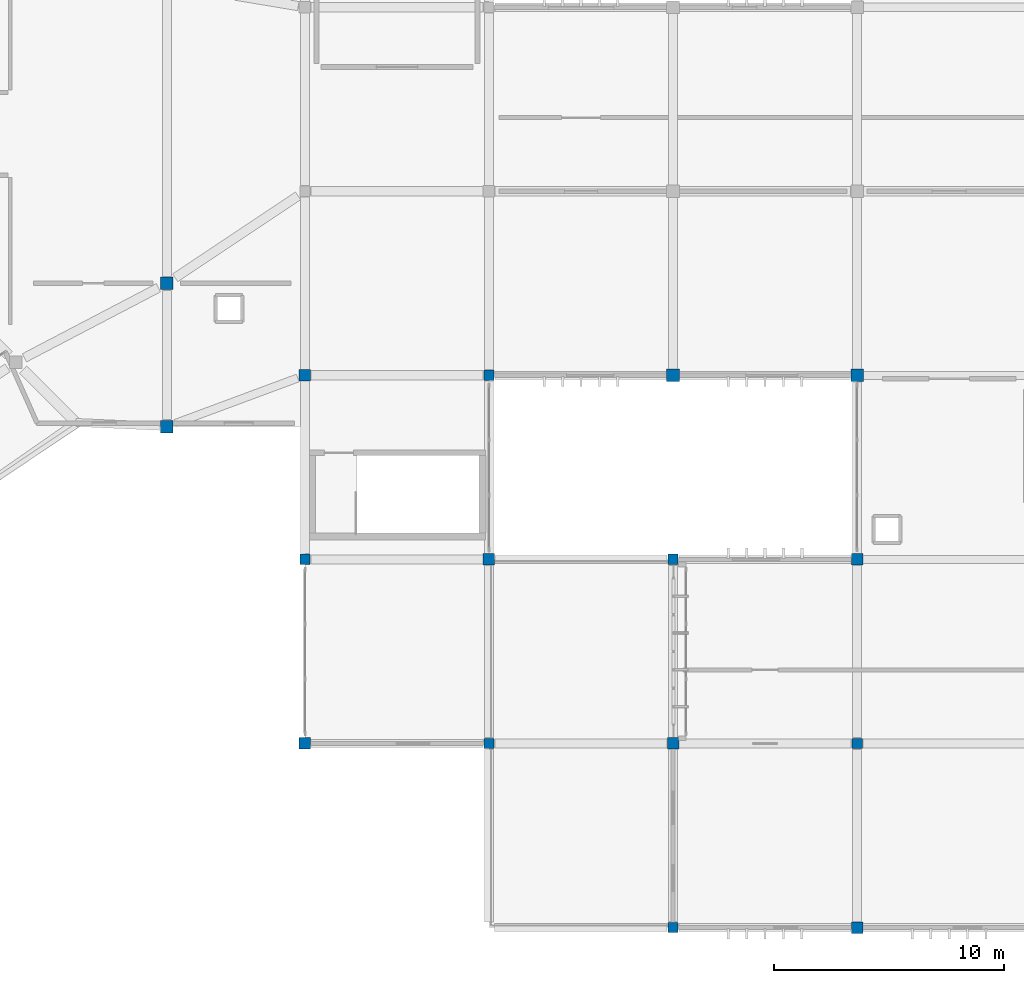
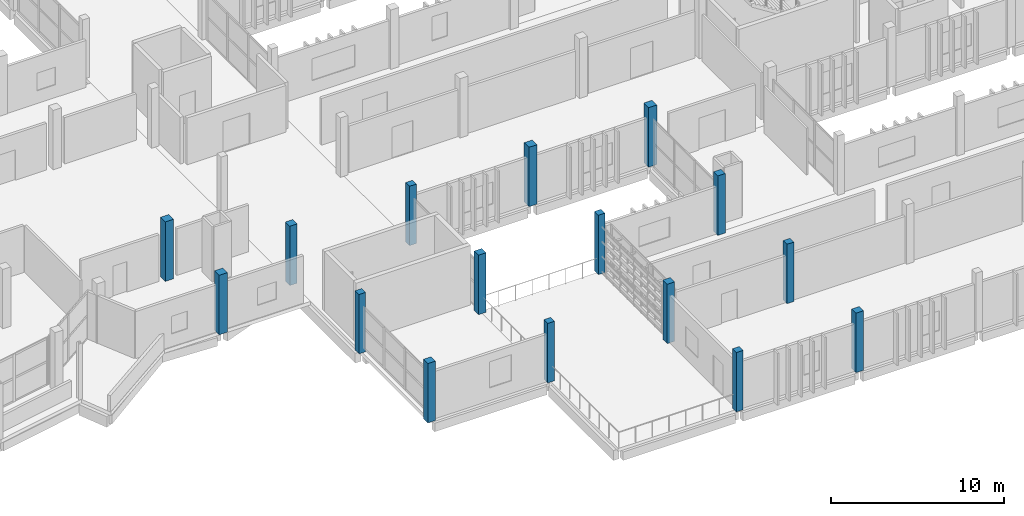
# One storey, part 2 of 63: 16 columns.
"""IFC4 building model written with IfcOpenShell, lengths in metres."""

from ifc_helpers import new_model, si_unit, direction, frame, origin, origin_2d, place, context, subcontext, project, spatial, rectangle, extrude, material, material_profile, profile_set, type_object, element, save


model = new_model("IFC4")

# Units and contexts
model_context = context("Model", 3, precision=1e-05, world=origin(), true_north=direction((0.0, 1.0)))
body_context = subcontext(model_context, "Body", "Model", "MODEL_VIEW")
ifc_project = project(units=[si_unit("LENGTHUNIT", "METRE"), si_unit("AREAUNIT", "SQUARE_METRE"), si_unit("VOLUMEUNIT", "CUBIC_METRE"), si_unit("PLANEANGLEUNIT", "RADIAN"), si_unit("MASSUNIT", "GRAM", prefix="KILO")], contexts=[model_context])

# Site, building, storey
site_placement = place(None, origin())
site = spatial("IfcSite", under=ifc_project, at=site_placement, CompositionType="ELEMENT")
building_placement = place(site_placement, origin())
building = spatial("IfcBuilding", under=site, at=building_placement, Name="Jelvoka-Kovrelna Polytechnic", CompositionType="ELEMENT")
storey_placement = place(building_placement, frame((0.0, 0.0, 18.0)))
storey = spatial("IfcBuildingStorey", under=building, at=storey_placement, Name="L05", CompositionType="ELEMENT", Elevation=18.0)

# Columns
ifc_material_1 = material(Name="Concrete C40/50", Category="concrete")
ifc_material_profile_1 = material_profile(ifc_material_1, rectangle(XDim=0.449951171875, YDim=0.449951171875, at=origin_2d()), Name="RC 450x450")
ifc_profile_set_1 = profile_set([ifc_material_profile_1], Name="Concrete C40/50")
column_type_1 = type_object("IfcColumnType", Name="Col_RC_450", PredefinedType="COLUMN", material=ifc_profile_set_1)
for number, where, z_axis, x_axis, name in (
    (1, (64.0, 8.0, 0.0), (0.0, 0.0, 1.0), (1.0, 0.0, 0.0), "L05 column 0102"),
    (2, (56.0, 16.0, 0.0), (0.0, 0.0, 1.0), (1.0, 0.0, 0.0), "L05 column 0197"),
    (3, (72.0, 16.0, 0.0), (0.0, 0.0, 1.0), (1.0, 0.0, 0.0), "L05 column 0209"),
    (4, (48.0, 24.0, 0.0), (0.0, 0.0, 1.0), (1.0, 0.0, 0.0), "L05 column 0316"),
    (5, (64.0, 24.0, 0.0), (0.0, 0.0, 1.0), (1.0, 0.0, 0.0), "L05 column 0328"),
    (6, (56.0, 32.0, 0.0), (0.0, 0.0, 1.0), (1.0, 0.0, 0.0), "L05 column 0443"),
):
    element("IfcColumn", number, at=place(storey_placement, frame(where, z_axis=z_axis, x_axis=x_axis)), inside=storey, type_object=column_type_1, Name=name, PredefinedType="COLUMN", context=body_context, shape_type="SweptSolid", body=[
        extrude(rectangle(XDim=0.449951171875, YDim=0.449951171875, at=origin_2d()), origin(), (0.0, 0.0, 1.0), 4.199951171875),
    ])
ifc_material_2 = material(Name="Concrete C40/50", Category="concrete")
ifc_material_profile_2 = material_profile(ifc_material_2, rectangle(XDim=0.5, YDim=0.5, at=origin_2d()), Name="RC 500x500")
ifc_profile_set_2 = profile_set([ifc_material_profile_2], Name="Concrete C40/50")
column_type_2 = type_object("IfcColumnType", Name="Col_RC_500", PredefinedType="COLUMN", material=ifc_profile_set_2)
for number, where, z_axis, x_axis, name in (
    (7, (72.0, 8.0, 0.0), (0.0, 0.0, 1.0), (1.0, 0.0, 0.0), "L05 column 0108"),
    (8, (48.0, 16.0, 0.0), (0.0, 0.0, 1.0), (1.0, 0.0, 0.0), "L05 column 0191"),
    (9, (64.0, 16.0, 0.0), (0.0, 0.0, 1.0), (1.0, 0.0, 0.0), "L05 column 0203"),
    (10, (56.0, 24.0, 0.0), (0.0, 0.0, 1.0), (1.0, 0.0, 0.0), "L05 column 0322"),
    (11, (72.0, 24.0, 0.0), (0.0, 0.0, 1.0), (1.0, 0.0, 0.0), "L05 column 0334"),
    (12, (48.0, 32.0, 0.0), (0.0, 0.0, 1.0), (1.0, 0.0, 0.0), "L05 column 0437"),
):
    element("IfcColumn", number, at=place(storey_placement, frame(where, z_axis=z_axis, x_axis=x_axis)), inside=storey, type_object=column_type_2, Name=name, PredefinedType="COLUMN", context=body_context, shape_type="SweptSolid", body=[
        extrude(rectangle(XDim=0.5, YDim=0.5, at=origin_2d()), origin(), (0.0, 0.0, 1.0), 4.199951171875),
    ])
ifc_material_3 = material(Name="Concrete C40/50", Category="concrete")
ifc_material_profile_3 = material_profile(ifc_material_3, rectangle(XDim=0.550048828125, YDim=0.550048828125, at=origin_2d()), Name="RC 550x550")
ifc_profile_set_3 = profile_set([ifc_material_profile_3], Name="Concrete C40/50")
column_type_3 = type_object("IfcColumnType", Name="Col_RC_550", PredefinedType="COLUMN", material=ifc_profile_set_3)
for number, where, z_axis, x_axis, name in (
    (13, (42.0, 29.772216796875, 0.0), (0.0, 0.0, 1.0), (1.0, 0.0, 0.0), "L05 column 0431"),
    (14, (64.0, 32.0, 0.0), (0.0, 0.0, 1.0), (1.0, 0.0, 0.0), "L05 column 0449"),
    (15, (72.0, 32.0, 0.0), (0.0, 0.0, 1.0), (1.0, 0.0, 0.0), "L05 column 0456"),
    (16, (42.0, 36.0, 0.0), (0.0, 0.0, 1.0), (1.0, 0.0, 0.0), "L05 column 0595"),
):
    element("IfcColumn", number, at=place(storey_placement, frame(where, z_axis=z_axis, x_axis=x_axis)), inside=storey, type_object=column_type_3, Name=name, PredefinedType="COLUMN", context=body_context, shape_type="SweptSolid", body=[
        extrude(rectangle(XDim=0.550048828125, YDim=0.550048828125, at=origin_2d()), origin(), (0.0, 0.0, 1.0), 4.199951171875),
    ])

save(model, "model.ifc")
